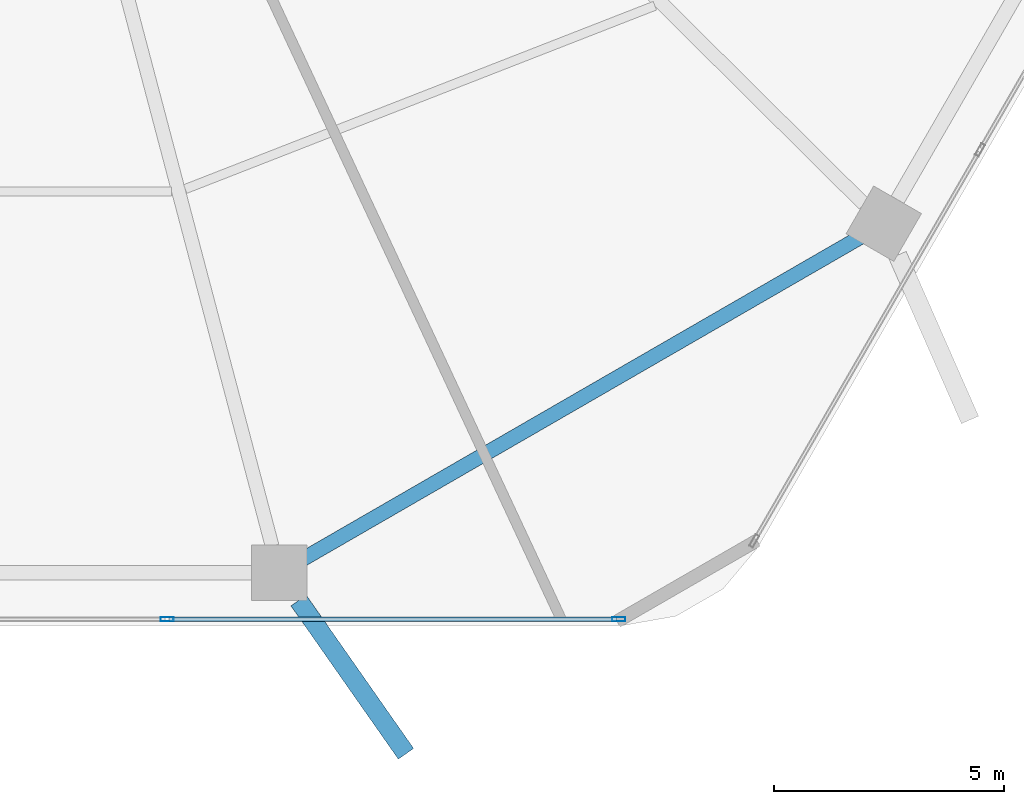
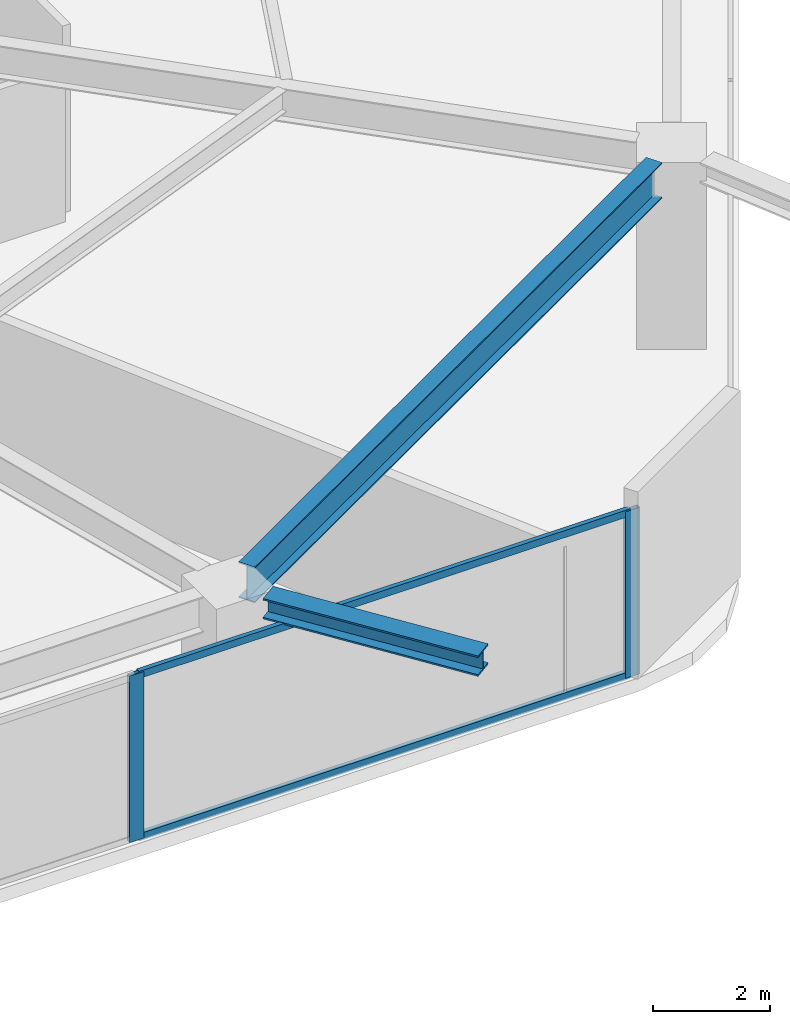
# One storey, part 7 of 25: 4 members, 2 beams, 1 element without a shape of its own.
"""IFC4 building model written with IfcOpenShell, lengths in metres."""

from ifc_helpers import new_model, si_unit, direction, frame, origin, origin_2d, place, context, subcontext, project, spatial, hollow_rectangle, i_section, extrude, material, material_profile, profile_set, type_object, element, aggregate, save


model = new_model("IFC4")

# Units and contexts
model_context = context("Model", 3, precision=1e-05, world=origin(), true_north=direction((0.0, 1.0)))
body_context = subcontext(model_context, "Body", "Model", "MODEL_VIEW")
ifc_project = project(units=[si_unit("LENGTHUNIT", "METRE"), si_unit("AREAUNIT", "SQUARE_METRE"), si_unit("VOLUMEUNIT", "CUBIC_METRE"), si_unit("PLANEANGLEUNIT", "RADIAN"), si_unit("MASSUNIT", "GRAM", prefix="KILO")], contexts=[model_context])

# Site, building, storey
site_placement = place(None, origin())
site = spatial("IfcSite", under=ifc_project, at=site_placement, CompositionType="ELEMENT")
building_placement = place(site_placement, origin())
building = spatial("IfcBuilding", under=site, at=building_placement, Name="Zuhravey Tower", CompositionType="ELEMENT")
storey_placement = place(building_placement, frame((0.0, 0.0, 54.0)))
storey = spatial("IfcBuildingStorey", under=building, at=storey_placement, Name="L13", CompositionType="ELEMENT", Elevation=54.0)

# Curtain wall, members
ifc_material_1 = material(Name="Thermally broken anodised aluminium", Category="aluminium")
curtain_wall_type = type_object("IfcCurtainWallType", Name="School Low-E Unitised Curtain Wall CW1", PredefinedType="NOTDEFINED", material=ifc_material_1)
curtain_wall_placement = place(storey_placement, origin())
curtain_wall = element("IfcCurtainWall", 1, at=curtain_wall_placement, inside=storey, type_object=curtain_wall_type, Name="L13 CW1 CW-L13-F5-1", PredefinedType="NOTDEFINED")
ifc_material_2 = material(Name="Anodised aluminium", Category="aluminium")
ifc_material_profile_1 = material_profile(ifc_material_2, hollow_rectangle(XDim=0.090087890625, YDim=0.284912109375, WallThickness=0.0048828125, at=origin_2d()), Name="ALU-RHS-90x285x5")
ifc_profile_set_1 = profile_set([ifc_material_profile_1], Name="Anodised aluminium")
member_type_1 = type_object("IfcMemberType", Name="Curtain-Wall Mullion 90x180", PredefinedType="MULLION", material=ifc_profile_set_1)
member_1_placement = place(storey_placement, frame((50.75439453125, 3.04150390625, 0.0), z_axis=(0.0, 0.0, 1.0), x_axis=(0.0, -1.0, 0.0)))
member_1 = element("IfcMember", 2, at=member_1_placement, type_object=member_type_1, Name="CW1 mullion 1", PredefinedType="MULLION", context=body_context, shape_type="SweptSolid", body=[
    extrude(hollow_rectangle(XDim=0.090087890625, YDim=0.284912109375, WallThickness=0.0048828125, at=origin_2d()), origin(), (0.0, 0.0, 1.0), 3.491943359375),
])
member_2_placement = place(storey_placement, frame((40.93310546875, 3.04150390625, 0.0), z_axis=(0.0, 0.0, 1.0), x_axis=(0.0, -1.0, 0.0)))
member_2 = element("IfcMember", 3, at=member_2_placement, type_object=member_type_1, Name="CW1 mullion 2", PredefinedType="MULLION", context=body_context, shape_type="SweptSolid", body=[
    extrude(hollow_rectangle(XDim=0.090087890625, YDim=0.284912109375, WallThickness=0.0048828125, at=origin_2d()), origin(), (0.0, 0.0, 1.0), 3.491943359375),
])
ifc_material_profile_2 = material_profile(ifc_material_2, hollow_rectangle(XDim=0.090087890625, YDim=0.14990234375, WallThickness=0.0048828125, at=origin_2d()), Name="ALU-RHS-90x150x5")
ifc_profile_set_2 = profile_set([ifc_material_profile_2], Name="Anodised aluminium")
member_type_2 = type_object("IfcMemberType", Name="Curtain-Wall Transom 90x150", PredefinedType="USERDEFINED", material=ifc_profile_set_2)
member_3_placement = place(storey_placement, frame((50.70947265625, 3.04150390625, 0.044921875), z_axis=(-1.0, 0.0, 0.0), x_axis=(0.0, -1.0, 0.0)))
member_3 = element("IfcMember", 4, at=member_3_placement, type_object=member_type_2, Name="CW1 transom 1.1", ObjectType="TRANSOM", PredefinedType="USERDEFINED", context=body_context, shape_type="SweptSolid", body=[
    extrude(hollow_rectangle(XDim=0.090087890625, YDim=0.14990234375, WallThickness=0.0048828125, at=origin_2d()), origin(), (0.0, 0.0, 1.0), 9.731201171875),
])
member_4_placement = place(storey_placement, frame((50.70947265625, 3.04150390625, 3.447021484375), z_axis=(-1.0, 0.0, 0.0), x_axis=(0.0, -1.0, 0.0)))
member_4 = element("IfcMember", 5, at=member_4_placement, type_object=member_type_2, Name="CW1 transom 1.2", ObjectType="TRANSOM", PredefinedType="USERDEFINED", context=body_context, shape_type="SweptSolid", body=[
    extrude(hollow_rectangle(XDim=0.090087890625, YDim=0.14990234375, WallThickness=0.0048828125, at=origin_2d()), origin(), (0.0, 0.0, 1.0), 9.731201171875),
])
aggregate(curtain_wall, [member_1, member_2, member_3, member_4])

# Beams
ifc_material_3 = material(Name="Steel SM460", Category="steel")
ifc_material_profile_3 = material_profile(ifc_material_3, i_section(OverallWidth=0.406982421875, OverallDepth=0.427978515625, WebThickness=0.02001953125, FlangeThickness=0.034912109375, at=origin_2d()), Name="H-428x407x20x35")
ifc_profile_set_3 = profile_set([ifc_material_profile_3], Name="Steel SM460")
beam_type_1 = type_object("IfcBeamType", Name="Exoskeleton Node Tie Beam H428x407", PredefinedType="BEAM", material=ifc_profile_set_3)
beam_1_placement = place(storey_placement, frame((43.79248046875, 3.4482421875, 3.7060546875), z_axis=(0.573719899401, -0.819051571655, 0.0), x_axis=(0.819051571655, 0.573719899401, 0.0)))
element("IfcBeam", 6, at=beam_1_placement, inside=storey, type_object=beam_type_1, Name="L13 Exoskeleton Node Tie NT1-10", PredefinedType="BEAM", context=body_context, shape_type="SweptSolid", body=[
    extrude(i_section(OverallWidth=0.406982421875, OverallDepth=0.427978515625, WebThickness=0.02001953125, FlangeThickness=0.034912109375, at=origin_2d()), origin(), (0.0, 0.0, 1.0), 4.071044921875),
])
ifc_material_4 = material(Name="Steel SM355", Category="steel")
ifc_material_profile_4 = material_profile(ifc_material_4, i_section(OverallWidth=0.320068359375, OverallDepth=0.75, WebThickness=0.013916015625, FlangeThickness=0.02490234375, at=origin_2d()), Name="H-750x320x14x25")
ifc_profile_set_4 = profile_set([ifc_material_profile_4], Name="Steel SM355")
beam_type_2 = type_object("IfcBeamType", Name="Perimeter Ring Beam H750x320", PredefinedType="BEAM", material=ifc_profile_set_4)
beam_2_placement = place(storey_placement, frame((43.89208984375, 4.35302734375, 3.544921875), z_axis=(0.866029969761, 0.499992091414, 0.0), x_axis=(-0.499992091414, 0.866029969761, 0.0)))
element("IfcBeam", 7, at=beam_2_placement, inside=storey, type_object=beam_type_2, Name="L13 PB1 BM-L13-PB-10", PredefinedType="BEAM", context=body_context, shape_type="SweptSolid", body=[
    extrude(i_section(OverallWidth=0.320068359375, OverallDepth=0.75, WebThickness=0.013916015625, FlangeThickness=0.02490234375, at=origin_2d()), origin(), (0.0, 0.0, 1.0), 13.977294921875),
])

save(model, "model.ifc")
